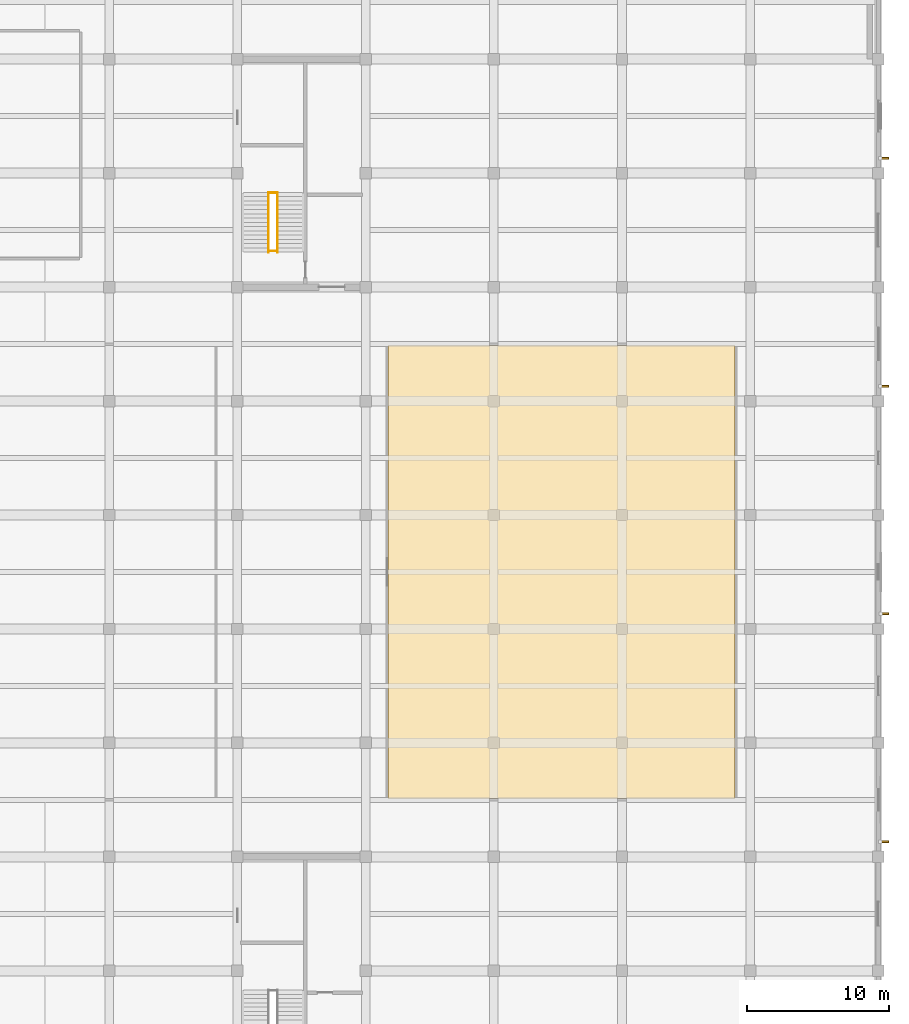
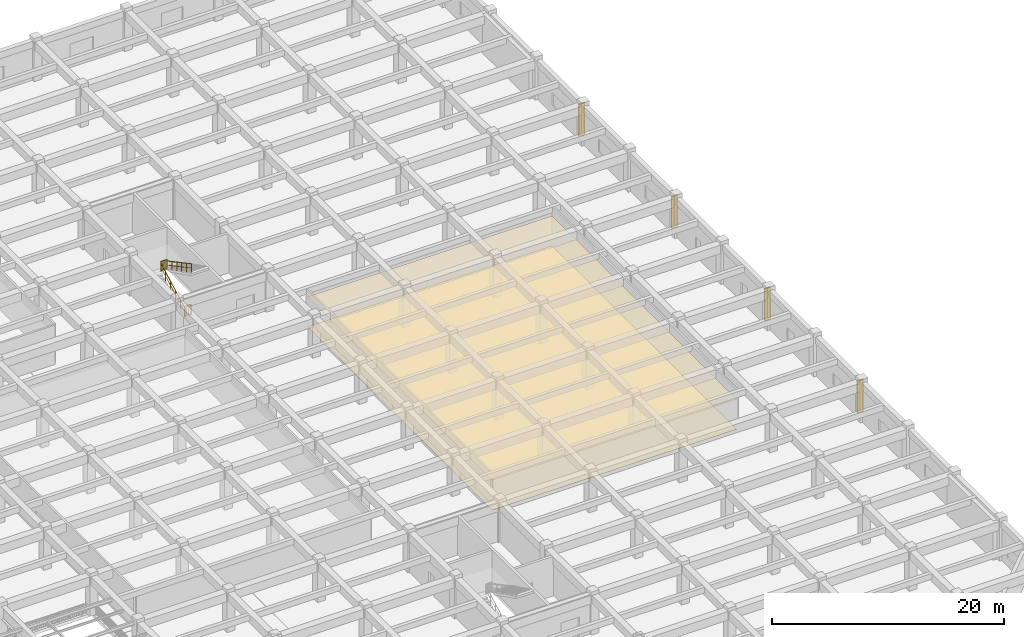
# One storey, part 49 of 50: 4 railings, 4 shading devices, 2 coverings.
"""IFC4 building model written with IfcOpenShell, lengths in metres."""

from ifc_helpers import new_model, si_unit, direction, frame, frame_2d, origin, origin_2d, place, context, subcontext, project, spatial, polyline, rectangle, circle, outline, extrude, material, layer, layer_set, type_object, element, save


model = new_model("IFC4")

# Units and contexts
model_context = context("Model", 3, precision=1e-05, world=origin(), true_north=direction((0.0, 1.0)))
body_context = subcontext(model_context, "Body", "Model", "MODEL_VIEW")
ifc_project = project(units=[si_unit("LENGTHUNIT", "METRE"), si_unit("AREAUNIT", "SQUARE_METRE"), si_unit("VOLUMEUNIT", "CUBIC_METRE"), si_unit("PLANEANGLEUNIT", "RADIAN"), si_unit("MASSUNIT", "GRAM", prefix="KILO")], contexts=[model_context])

# Site, building, storey
site_placement = place(None, origin())
site = spatial("IfcSite", under=ifc_project, at=site_placement, CompositionType="ELEMENT")
building_placement = place(site_placement, origin())
building = spatial("IfcBuilding", under=site, at=building_placement, Name="Zaverband Oceanarium and Marine Research Institute", CompositionType="ELEMENT")
storey_placement = place(building_placement, frame((0.0, 0.0, 9.0)))
storey = spatial("IfcBuildingStorey", under=building, at=storey_placement, Name="L02", CompositionType="ELEMENT", Elevation=9.0)

# Coverings
ifc_material_1 = material(Name="Perforated mineral-fibre acoustic ceiling tile")
ifc_layer_1 = layer(ifc_material_1, 0.02490234375, Name="Perforated mineral-fibre acoustic ceiling tile")
ifc_layer_set_1 = layer_set([ifc_layer_1], Name="Perforated mineral-fibre acoustic ceiling tile")
covering_type_1 = type_object("IfcCoveringType", Name="CLG-AC-15", PredefinedType="CEILING", material=ifc_layer_set_1)
covering_1_placement = place(storey_placement, frame((0.0, 0.0, 3.14990234375)))
element("IfcCovering", 1, at=covering_1_placement, inside=storey, type_object=covering_type_1, Name="Suspended acoustic ceiling CLG-AC-15", PredefinedType="CEILING", context=body_context, shape_type="SweptSolid", body=[
    extrude(outline(polyline([(145.58251953125, 44.08251953125), (169.91748046875, 44.08251953125), (169.91748046875, 75.91748046875), (145.58251953125, 75.91748046875), (145.58251953125, 44.08251953125)])), origin(), (0.0, 0.0, 1.0), 0.025146484375),
])
ifc_material_2 = material(Name="Polished marine terrazzo and seamless laboratory epoxy flooring")
ifc_layer_2 = layer(ifc_material_2, 0.02490234375, Name="Polished marine terrazzo and seamless laboratory epoxy flooring")
ifc_layer_set_2 = layer_set([ifc_layer_2], Name="Polished marine terrazzo and seamless laboratory epoxy flooring")
covering_type_2 = type_object("IfcCoveringType", Name="FLR-TRZ-20", PredefinedType="FLOORING", material=ifc_layer_set_2)
covering_2_placement = place(storey_placement, origin())
element("IfcCovering", 2, at=covering_2_placement, inside=storey, type_object=covering_type_2, Name="Terrazzo and marine epoxy floor finish FLR-TRZ-20", PredefinedType="FLOORING", context=body_context, shape_type="SweptSolid", body=[
    extrude(outline(polyline([(145.58251953125, 44.08251953125), (169.91748046875, 44.08251953125), (169.91748046875, 75.91748046875), (145.58251953125, 75.91748046875), (145.58251953125, 44.08251953125)])), origin(), (0.0, 0.0, 1.0), 0.02490234375),
])

# Railings
ifc_material_3 = material(Name="Steel S355", Category="steel")
ifc_layer_3 = layer(ifc_material_3, 0.06005859375, Name="Steel S355")
ifc_layer_set_3 = layer_set([ifc_layer_3], Name="Steel S355")
railing_type_1 = type_object("IfcRailingType", Name="GRD-1100", PredefinedType="BALUSTRADE", material=ifc_layer_set_3)
for number, where, name in (
    (3, (137.18994140625, 86.6298828125, 2.25), "1100 mm steel post-and-baluster safety guard GRD-1100"),
    (4, (137.18994140625, 82.530029296875, 0.0), "1100 mm steel post-and-baluster safety guard GRD-1100"),
):
    element("IfcRailing", number, at=place(storey_placement, frame(where)), inside=storey, type_object=railing_type_1, Name=name, PredefinedType="BALUSTRADE", context=body_context, shape_type="SweptSolid", body=[
        extrude(circle(Radius=0.02392578125, at=origin_2d()), frame((0.0, 0.0, 1.076171875), z_axis=(1.0, 0.0, 0.0), x_axis=(0.0, 1.0, 0.0)), (0.0, 0.0, 1.0), 0.6201171875),
        extrude(circle(Radius=0.009033203125, at=origin_2d()), frame((0.0, 0.0, 0.10009765625), z_axis=(1.0, 0.0, 0.0), x_axis=(0.0, 1.0, 0.0)), (0.0, 0.0, 1.0), 0.6201171875),
        extrude(circle(Radius=0.009033203125, at=origin_2d()), frame((0.206787109375, 0.0, 0.10009765625)), (0.0, 0.0, 1.0), 0.951904296875),
        extrude(circle(Radius=0.009033203125, at=origin_2d()), frame((0.413330078125, 0.0, 0.10009765625)), (0.0, 0.0, 1.0), 0.951904296875),
        extrude(circle(Radius=0.02099609375, at=origin_2d()), origin(), (0.0, 0.0, 1.0), 1.052001953125),
        extrude(circle(Radius=0.02099609375, at=origin_2d()), frame((0.6201171875, 0.0, 0.0)), (0.0, 0.0, 1.0), 1.052001953125),
    ])
ifc_layer_4 = layer(ifc_material_3, 0.050048828125, Name="Steel S355")
ifc_layer_set_4 = layer_set([ifc_layer_4], Name="Steel S355")
railing_type_2 = type_object("IfcRailingType", Name="HR-920", PredefinedType="HANDRAIL", material=ifc_layer_set_4)
railing_1_placement = place(storey_placement, frame((137.18994140625, 82.449951171875, 0.0)))
element("IfcRailing", 5, at=railing_1_placement, inside=storey, type_object=railing_type_2, Name="920 mm continuous tubular stair and ramp handrail HR-920", PredefinedType="HANDRAIL", context=body_context, shape_type="SweptSolid", body=[
    extrude(circle(Radius=0.02392578125, at=origin_2d()), frame((0.0, 0.0, 0.89599609375), z_axis=(0.0, 0.881477684796, 0.472225678258), x_axis=(-1.0, 0.0, 0.0)), (0.0, 0.0, 1.0), 4.7646484375),
    extrude(circle(Radius=0.009033203125, at=origin_2d()), frame((0.0, 0.0, 0.4599609375), z_axis=(0.0, 0.881477684796, 0.472225678258), x_axis=(-1.0, 0.0, 0.0)), (0.0, 0.0, 1.0), 4.7646484375),
    extrude(circle(Radius=0.02099609375, at=origin_2d()), origin(), (0.0, 0.0, 1.0), 0.871826171875),
    extrude(circle(Radius=0.02099609375, at=origin_2d()), frame((0.0, 0.840087890625, 0.449951171875)), (0.0, 0.0, 1.0), 0.871826171875),
    extrude(circle(Radius=0.02099609375, at=origin_2d()), frame((0.0, 1.679931640625, 0.89990234375)), (0.0, 0.0, 1.0), 0.871826171875),
    extrude(circle(Radius=0.02099609375, at=origin_2d()), frame((0.0, 2.52001953125, 1.35009765625)), (0.0, 0.0, 1.0), 0.871826171875),
    extrude(circle(Radius=0.02099609375, at=origin_2d()), frame((0.0, 3.35986328125, 1.800048828125)), (0.0, 0.0, 1.0), 0.871826171875),
    extrude(circle(Radius=0.02099609375, at=origin_2d()), frame((0.0, 4.199951171875, 2.25)), (0.0, 0.0, 1.0), 0.871826171875),
])
railing_2_placement = place(storey_placement, frame((137.81005859375, 86.64990234375, 2.25)))
element("IfcRailing", 6, at=railing_2_placement, inside=storey, type_object=railing_type_2, Name="920 mm continuous tubular stair and ramp handrail HR-920", PredefinedType="HANDRAIL", context=body_context, shape_type="SweptSolid", body=[
    extrude(circle(Radius=0.02392578125, at=origin_2d()), frame((0.0, 0.0, 0.89599609375), z_axis=(0.0, -0.881477684796, 0.472225678258), x_axis=(1.0, 0.0, 0.0)), (0.0, 0.0, 1.0), 4.7646484375),
    extrude(circle(Radius=0.009033203125, at=origin_2d()), frame((0.0, 0.0, 0.4599609375), z_axis=(0.0, -0.881477684796, 0.472225678258), x_axis=(1.0, 0.0, 0.0)), (0.0, 0.0, 1.0), 4.7646484375),
    extrude(circle(Radius=0.02099609375, at=origin_2d()), origin(), (0.0, 0.0, 1.0), 0.871826171875),
    extrude(circle(Radius=0.02099609375, at=origin_2d()), frame((0.0, -0.840087890625, 0.449951171875)), (0.0, 0.0, 1.0), 0.871826171875),
    extrude(circle(Radius=0.02099609375, at=origin_2d()), frame((0.0, -1.679931640625, 0.89990234375)), (0.0, 0.0, 1.0), 0.871826171875),
    extrude(circle(Radius=0.02099609375, at=origin_2d()), frame((0.0, -2.52001953125, 1.35009765625)), (0.0, 0.0, 1.0), 0.871826171875),
    extrude(circle(Radius=0.02099609375, at=origin_2d()), frame((0.0, -3.35986328125, 1.800048828125)), (0.0, 0.0, 1.0), 0.871826171875),
    extrude(circle(Radius=0.02099609375, at=origin_2d()), frame((0.0, -4.199951171875, 2.25)), (0.0, 0.0, 1.0), 0.871826171875),
])

# Shading devices
ifc_material_4 = material(Name="Concrete C40/50 precast brise-soleil", Category="concrete")
ifc_layer_5 = layer(ifc_material_4, 0.139892578125, Name="Concrete C40/50 precast brise-soleil")
ifc_layer_set_5 = layer_set([ifc_layer_5], Name="Concrete C40/50 precast brise-soleil")
shading_device_type = type_object("IfcShadingDeviceType", Name="SHD-FIN-600", PredefinedType="JALOUSIE", material=ifc_layer_set_5)
for number, where, z_axis, x_axis, name in (
    (7, (180.125, 41.054931640625, 0.0), (0.0, 0.0, 1.0), (1.0, 0.0, 0.0), "600 mm vertical precast brise-soleil fin SHD-FIN-600"),
    (8, (180.135009765625, 57.054931640625, 0.0), (0.0, 0.0, 1.0), (1.0, 0.0, 0.0), "600 mm vertical precast brise-soleil fin SHD-FIN-600"),
):
    element("IfcShadingDevice", number, at=place(storey_placement, frame(where, z_axis=z_axis, x_axis=x_axis)), inside=storey, type_object=shading_device_type, Name=name, PredefinedType="JALOUSIE", context=body_context, shape_type="SweptSolid", body=[
        extrude(rectangle(XDim=0.60009765625, YDim=0.139892578125, at=frame_2d((0.300048828125, 0.0))), origin(), (0.0, 0.0, 1.0), 3.3701171875),
    ])
shading_device_1_placement = place(storey_placement, frame((180.112548828125, 73.054931640625, 0.0), z_axis=(0.0, 0.0, 1.0), x_axis=(1.0, 0.0, 0.0)))
element("IfcShadingDevice", 9, at=shading_device_1_placement, inside=storey, type_object=shading_device_type, Name="600 mm vertical precast brise-soleil fin SHD-FIN-600", PredefinedType="JALOUSIE", context=body_context, shape_type="SweptSolid", body=[
    extrude(rectangle(XDim=0.599853515625, YDim=0.139892578125, at=frame_2d((0.2998046875, 0.0))), origin(), (0.0, 0.0, 1.0), 3.3701171875),
])
shading_device_2_placement = place(storey_placement, frame((180.125, 89.054931640625, 0.0), z_axis=(0.0, 0.0, 1.0), x_axis=(1.0, 0.0, 0.0)))
element("IfcShadingDevice", 10, at=shading_device_2_placement, inside=storey, type_object=shading_device_type, Name="600 mm vertical precast brise-soleil fin SHD-FIN-600", PredefinedType="JALOUSIE", context=body_context, shape_type="SweptSolid", body=[
    extrude(rectangle(XDim=0.60009765625, YDim=0.139892578125, at=frame_2d((0.300048828125, 0.0))), origin(), (0.0, 0.0, 1.0), 3.3701171875),
])

save(model, "model.ifc")
